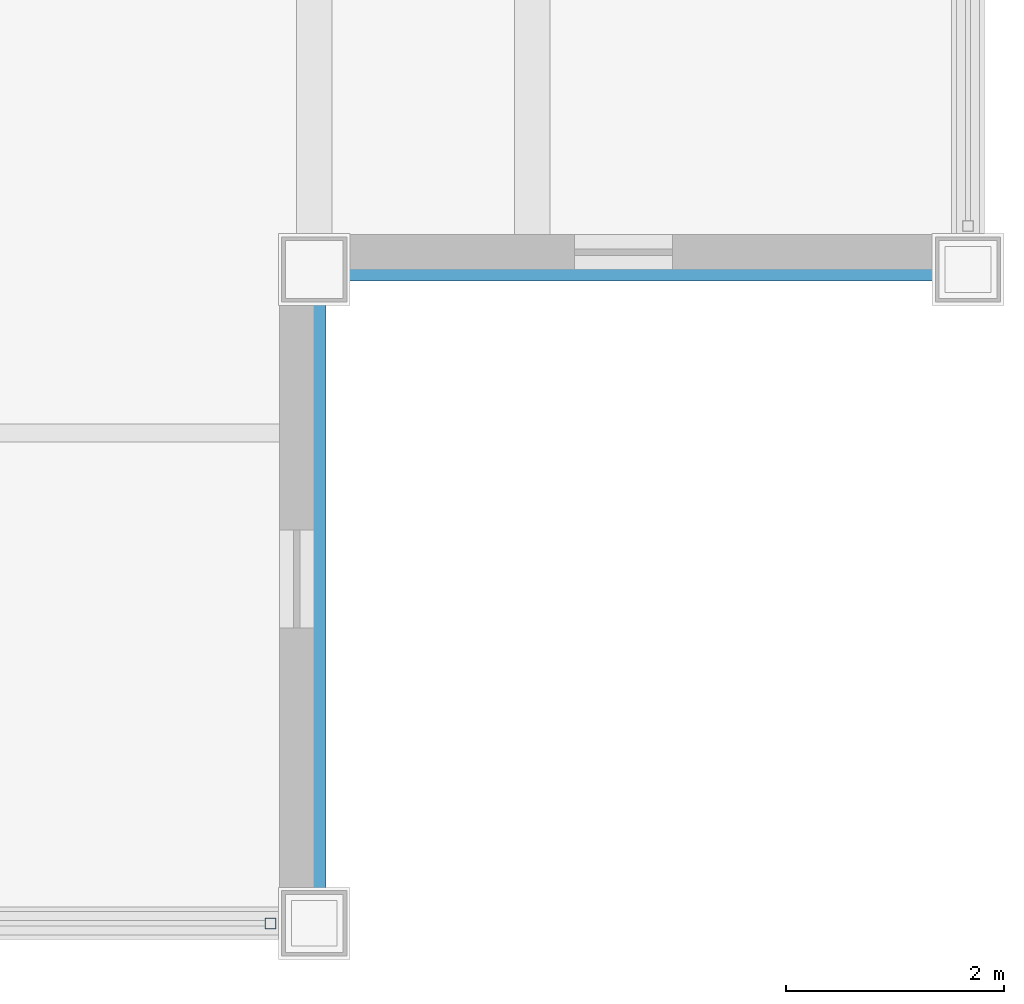
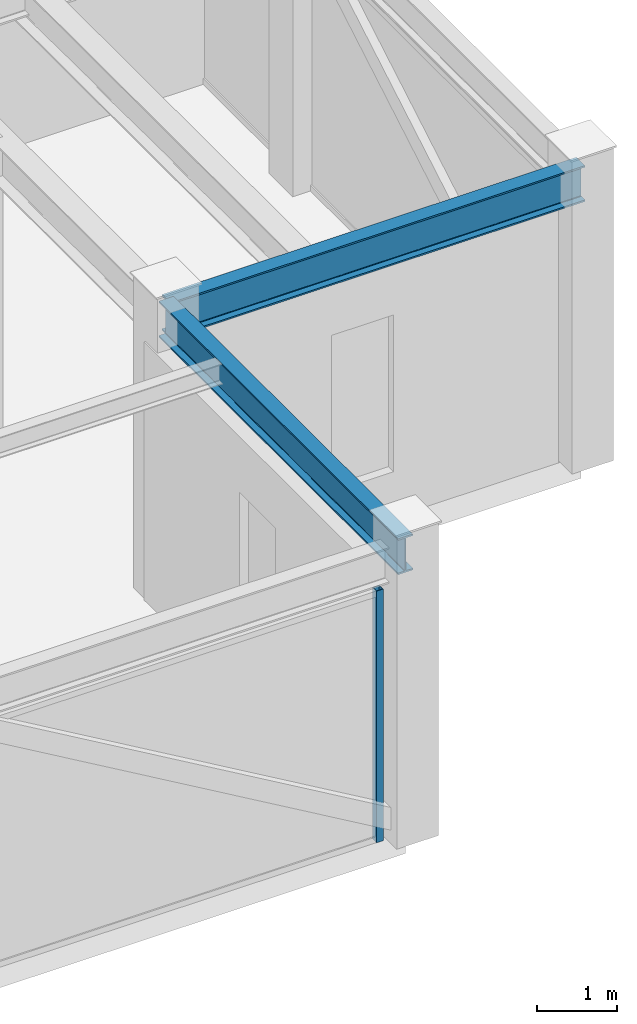
# One storey, part 8 of 27: 2 beams, 1 member, 1 element without a shape of its own.
"""IFC4 building model written with IfcOpenShell, lengths in metres."""

import ifcopenshell
import ifcopenshell.guid

model = None  # the IFC model being written
_history = None  # IfcOwnerHistory: only IFC2X3 demands one
_inside = {}  # id of a spatial element -> (the spatial element, [elements in it])
_under = {}  # id of a project, library or spatial element -> (it, [spatial elements below it])
_declared = {}  # id of a project -> (the project, [libraries it declares])
_typed = {}  # id of a type object -> (the type object, [elements of that type])
_made_of = {}  # id of a material, layer set ... -> (it, [elements and type objects made of it])


def new_model(schema):
    """Start an empty IFC model of exactly this schema.

    Asked for "IFC4X3", IfcOpenShell would pick the latest addendum, in which some entities
    have other attributes; the version numbers below select the first issue.
    IFC2X3 requires an IfcOwnerHistory on every rooted entity: one is made here for all.
    """
    global model, _history
    if schema == "IFC4X3":
        model = ifcopenshell.file(schema_version=(4, 3, 0, 0))
    else:
        model = ifcopenshell.file(schema=schema)
    _inside.clear()
    _under.clear()
    _declared.clear()
    _typed.clear()
    _made_of.clear()
    _history = None
    if model.schema == "IFC2X3":
        org = make("IfcOrganization", Name="unknown")
        user = make(
            "IfcPersonAndOrganization",
            ThePerson=make("IfcPerson", FamilyName="unknown"),
            TheOrganization=org,
        )
        app = make(
            "IfcApplication",
            ApplicationDeveloper=org,
            Version="unknown",
            ApplicationFullName="unknown",
            ApplicationIdentifier="unknown",
        )
        _history = make(
            "IfcOwnerHistory",
            OwningUser=user,
            OwningApplication=app,
            ChangeAction="ADDED",
            CreationDate=0,
        )
    return model


def make(cls, **values):
    """One entity of the class cls with the attributes given. An attribute that is None is left unset."""
    return model.create_entity(
        cls, **{name: value for name, value in values.items() if value is not None}
    )


def rooted(cls, **values):
    """An entity with a GlobalId (a new one), such as an element, a storey or a relation."""
    return make(cls, GlobalId=ifcopenshell.guid.new(), OwnerHistory=_history, **values)


def si_unit(unit_type, name, prefix=None):
    """IfcSIUnit, for example si_unit("LENGTHUNIT", "METRE", prefix="MILLI")."""
    return make("IfcSIUnit", UnitType=unit_type, Prefix=prefix, Name=name)


def assignment(units):
    """IfcUnitAssignment: the units of a project."""
    return None if units is None else make("IfcUnitAssignment", Units=units)


def point(xyz):
    """IfcCartesianPoint."""
    return None if xyz is None else make("IfcCartesianPoint", Coordinates=xyz)


def direction(xyz):
    """IfcDirection."""
    return None if xyz is None else make("IfcDirection", DirectionRatios=xyz)


def frame(location, z_axis=None, x_axis=None):
    """IfcAxis2Placement3D, a coordinate frame: its origin and axes. An axis left out is left unset."""
    return make(
        "IfcAxis2Placement3D",
        Location=point(location),
        Axis=direction(z_axis),
        RefDirection=direction(x_axis),
    )


def frame_2d(location, x_axis=None):
    """IfcAxis2Placement2D, a coordinate frame in the plane: its origin and x axis."""
    return make(
        "IfcAxis2Placement2D", Location=point(location), RefDirection=direction(x_axis)
    )


def origin():
    """The frame at (0, 0, 0) with its axes left unset."""
    return frame((0.0, 0.0, 0.0))


def origin_2d():
    """The frame at (0, 0) in the plane with its x axis left unset."""
    return frame_2d((0.0, 0.0))


def place(relative_to, where):
    """IfcLocalPlacement: puts the frame where relative to a parent placement (None: the world)."""
    return make(
        "IfcLocalPlacement", PlacementRelTo=relative_to, RelativePlacement=where
    )


def context(
    kind, dimensions, precision=None, world=None, true_north=None, identifier=None
):
    """IfcGeometricRepresentationContext, for example the 3D "Model" context."""
    return make(
        "IfcGeometricRepresentationContext",
        ContextIdentifier=identifier,
        ContextType=kind,
        CoordinateSpaceDimension=dimensions,
        Precision=precision,
        WorldCoordinateSystem=world,
        TrueNorth=true_north,
    )


def subcontext(parent, identifier, kind, view, scale=None):
    """IfcGeometricRepresentationSubContext, for example "Body" below "Model"."""
    return make(
        "IfcGeometricRepresentationSubContext",
        ContextIdentifier=identifier,
        ContextType=kind,
        ParentContext=parent,
        TargetScale=scale,
        TargetView=view,
    )


def project(units=None, contexts=None):
    """IfcProject with its units and contexts."""
    return rooted(
        "IfcProject",
        Name="project",
        RepresentationContexts=contexts,
        UnitsInContext=assignment(units),
    )


def spatial(cls, under=None, at=None, **own):
    """A site, building, storey or space (cls), placed at a placement, below another one or the project."""
    s = rooted(cls, ObjectPlacement=at, **own)
    if under is not None:
        _under.setdefault(under.id(), (under, []))[1].append(s)
    return s


def profile(cls, at=None, kind="AREA", **sizes):
    """A parametric profile (cls). Its sizes go by their IFC names, for example OverallWidth=200.0."""
    return make(cls, ProfileType=kind, Position=at, **sizes)


def hollow_rectangle(**sizes):
    """IfcRectangleHollowProfileDef."""
    return profile("IfcRectangleHollowProfileDef", **sizes)


def i_section(**sizes):
    """IfcIShapeProfileDef."""
    return profile("IfcIShapeProfileDef", **sizes)


def extrude(swept, where, along, depth):
    """IfcExtrudedAreaSolid: the profile swept, set in the frame where, extruded along a direction by depth."""
    return make(
        "IfcExtrudedAreaSolid",
        SweptArea=swept,
        Position=where,
        ExtrudedDirection=direction(along),
        Depth=depth,
    )


def shape(context_of_items, identifier, shape_type, items):
    """IfcShapeRepresentation: the items that make up one representation, for example the "Body"."""
    return make(
        "IfcShapeRepresentation",
        ContextOfItems=context_of_items,
        RepresentationIdentifier=identifier,
        RepresentationType=shape_type,
        Items=items,
    )


def source(mapping_origin, context_of_items, identifier, shape_type, items):
    """IfcRepresentationMap: a shape defined once, which mapped items show again and again."""
    return make(
        "IfcRepresentationMap",
        MappingOrigin=mapping_origin,
        MappedRepresentation=shape(context_of_items, identifier, shape_type, items),
    )


def transform(
    local_origin,
    x_axis=None,
    y_axis=None,
    z_axis=None,
    scale=None,
    scale2=None,
    scale3=None,
    uniform=True,
):
    """IfcCartesianTransformationOperator3D, or its non-uniform kind. x_axis, y_axis, z_axis: its Axis1, 2, 3."""
    if uniform:
        return make(
            "IfcCartesianTransformationOperator3D",
            Axis1=direction(x_axis),
            Axis2=direction(y_axis),
            LocalOrigin=point(local_origin),
            Scale=scale,
            Axis3=direction(z_axis),
        )
    return make(
        "IfcCartesianTransformationOperator3DnonUniform",
        Axis1=direction(x_axis),
        Axis2=direction(y_axis),
        LocalOrigin=point(local_origin),
        Scale=scale,
        Axis3=direction(z_axis),
        Scale2=scale2,
        Scale3=scale3,
    )


def mapped(mapping_source, mapping_target):
    """IfcMappedItem: shows the shape of a source again, moved by a transform."""
    return make(
        "IfcMappedItem", MappingSource=mapping_source, MappingTarget=mapping_target
    )


def material(Name=None, Category=None):
    """IfcMaterial."""
    return make("IfcMaterial", Name=Name, Category=Category)


def material_profile(
    of_material, cross_section, Name=None, Category=None, Priority=None
):
    """IfcMaterialProfile: a cross section and its material."""
    return make(
        "IfcMaterialProfile",
        Name=Name,
        Material=of_material,
        Profile=cross_section,
        Priority=Priority,
        Category=Category,
    )


def profile_set(profiles, Name=None, composite=None):
    """IfcMaterialProfileSet."""
    return make(
        "IfcMaterialProfileSet",
        Name=Name,
        MaterialProfiles=profiles,
        CompositeProfile=composite,
    )


def made_of(thing, what):
    """Note that an element or type object is made of a material, layer set ...; save() writes the relation."""
    if what is not None:
        _made_of.setdefault(what.id(), (what, []))[1].append(thing)
    return thing


def type_object(cls, material=None, **own):
    """A type object (cls), such as IfcWallType, which elements share."""
    return made_of(rooted(cls, **own), material)


def element(
    cls,
    number,
    at=None,
    inside=None,
    cuts=None,
    type_object=None,
    material=None,
    context=None,
    identifier="Body",
    shape_type=None,
    held_by="IfcProductDefinitionShape",
    body=None,
    shapes=None,
    **own,
):
    """One element of the class cls, such as IfcWall. Its Tag is "e" and its number.

    at: its placement. inside: the storey or other place that contains it. cuts: it is an
    opening in that element (IfcRelVoidsElement). A single representation is given by context,
    identifier, shape_type and body (its items); several are given by shapes. held_by: the class
    of the entity that holds the representations. save() writes the other relations.
    """
    e = rooted(cls, Tag="e%d" % number, ObjectPlacement=at, **own)
    if body is not None:
        shapes = [shape(context, identifier, shape_type, body)]
    if shapes is not None:
        e.Representation = make(held_by, Representations=shapes)
    if inside is not None:
        _inside.setdefault(inside.id(), (inside, []))[1].append(e)
    if cuts is not None:
        rooted(
            "IfcRelVoidsElement", RelatingBuildingElement=cuts, RelatedOpeningElement=e
        )
    if type_object is not None:
        _typed.setdefault(type_object.id(), (type_object, []))[1].append(e)
    return made_of(e, material)


def aggregate(whole, parts):
    """IfcRelAggregates: a whole, such as a stair, and the parts it consists of."""
    return rooted("IfcRelAggregates", RelatingObject=whole, RelatedObjects=parts)


def save(model, path):
    """Write the relations noted so far, then the file.

    IfcRelAggregates (storeys below a building ...), IfcRelContainedInSpatialStructure (elements
    in a storey), IfcRelDefinesByType, IfcRelAssociatesMaterial and IfcRelDeclares: one each for
    every whole, place, type object, material and project.
    """
    for whole, parts in _under.values():
        aggregate(whole, parts)
    for where, things in _inside.values():
        rooted(
            "IfcRelContainedInSpatialStructure",
            RelatedElements=things,
            RelatingStructure=where,
        )
    for kind, things in _typed.values():
        rooted("IfcRelDefinesByType", RelatedObjects=things, RelatingType=kind)
    for what, things in _made_of.values():
        rooted("IfcRelAssociatesMaterial", RelatedObjects=things, RelatingMaterial=what)
    for by, libraries in _declared.values():
        rooted("IfcRelDeclares", RelatingContext=by, RelatedDefinitions=libraries)
    model.write(path)


model = new_model("IFC4")

# Units and contexts
model_context = context("Model", 3, precision=1e-05, world=origin(), true_north=direction((0.0, 1.0)))
body_context = subcontext(model_context, "Body", "Model", "MODEL_VIEW")
ifc_project = project(units=[si_unit("LENGTHUNIT", "METRE"), si_unit("AREAUNIT", "SQUARE_METRE"), si_unit("VOLUMEUNIT", "CUBIC_METRE"), si_unit("PLANEANGLEUNIT", "RADIAN"), si_unit("MASSUNIT", "GRAM", prefix="KILO")], contexts=[model_context])

# Site, building, storey
site_placement = place(None, origin())
site = spatial("IfcSite", under=ifc_project, at=site_placement, CompositionType="ELEMENT")
building_placement = place(site_placement, origin())
building = spatial("IfcBuilding", under=site, at=building_placement, Name="Khorayat Bourse Tower", CompositionType="ELEMENT")
storey_placement = place(building_placement, frame((0.0, 0.0, 399.5)))
storey = spatial("IfcBuildingStorey", under=building, at=storey_placement, Name="L94", CompositionType="ELEMENT", Elevation=399.5)

# Beams
ifc_material_1 = material(Name="Steel ASTM A992 Grade 50", Category="steel")
ifc_material_profile_1 = material_profile(ifc_material_1, i_section(OverallWidth=0.214111328125, OverallDepth=0.549072265625, WebThickness=0.0146484375, FlangeThickness=0.023681640625, FilletRadius=0.013916015625, at=origin_2d()), Name="W530X138")
ifc_profile_set_1 = profile_set([ifc_material_profile_1], Name="Steel ASTM A992 Grade 50")
beam_type = type_object("IfcBeamType", Name="BM-SPAN-530", PredefinedType="SPANDREL", material=ifc_profile_set_1)
shared_shape_1 = source(origin(), body_context, "Body", "SweptSolid", [
    extrude(i_section(OverallWidth=0.214111328125, OverallDepth=0.549072265625, WebThickness=0.0146484375, FlangeThickness=0.023681640625, FilletRadius=0.013916015625, at=origin_2d()), origin(), (0.0, 0.0, 1.0), 6.0),
])
for number, where, z_axis, x_axis, name in (
    (1, (18.0, -24.0, 4.2255859375), (0.0, 1.0, 0.0), (-1.0, 0.0, 0.0), "L94 BM-SPAN-530 BM-L94-SPN-030"),
    (2, (18.0, -18.0, 4.2255859375), (1.0, 0.0, 0.0), (0.0, 1.0, 0.0), "L94 BM-SPAN-530 BM-L94-SPN-031"),
):
    element("IfcBeam", number, at=place(storey_placement, frame(where, z_axis=z_axis, x_axis=x_axis)), inside=storey, type_object=beam_type, Name=name, PredefinedType="SPANDREL", context=body_context, shape_type="MappedRepresentation", body=[
        mapped(shared_shape_1, transform((0.0, 0.0, 0.0), scale=1.0)),
    ])

# Curtain wall, member
ifc_material_2 = material(Name="Aluminium EN AW-6063 T6", Category="aluminium")
curtain_wall_type = type_object("IfcCurtainWallType", Name="CW-SYS-07", PredefinedType="NOTDEFINED", material=ifc_material_2)
curtain_wall_placement = place(storey_placement, origin())
curtain_wall = element("IfcCurtainWall", 3, at=curtain_wall_placement, inside=storey, type_object=curtain_wall_type, Name="L94 Curtain Wall CW-L94-S1", PredefinedType="NOTDEFINED")
ifc_material_profile_2 = material_profile(ifc_material_2, hollow_rectangle(XDim=0.10009765625, YDim=0.10009765625, WallThickness=0.0048828125, at=origin_2d()), Name="ALU 100x100x5")
ifc_profile_set_2 = profile_set([ifc_material_profile_2], Name="Aluminium EN AW-6063 T6")
member_type = type_object("IfcMemberType", Name="CWM-LANTERN-100", PredefinedType="MULLION", material=ifc_profile_set_2)
shared_shape_2 = source(origin(), body_context, "Body", "SweptSolid", [
    extrude(hollow_rectangle(XDim=0.10009765625, YDim=0.10009765625, WallThickness=0.0048828125, at=origin_2d()), origin(), (0.0, 0.0, 1.0), 3.85009765625),
])
member_placement = place(storey_placement, frame((17.60009765625, -24.0, 0.0), z_axis=(0.0, 0.0, 1.0), x_axis=(0.0, 1.0, 0.0)))
member = element("IfcMember", 4, at=member_placement, type_object=member_type, Name="CW-L94-S1 Vertical Mullion 3", PredefinedType="MULLION", context=body_context, shape_type="MappedRepresentation", body=[
    mapped(shared_shape_2, transform((0.0, 0.0, 0.0), scale=1.0)),
])
aggregate(curtain_wall, [member])

save(model, "model.ifc")
